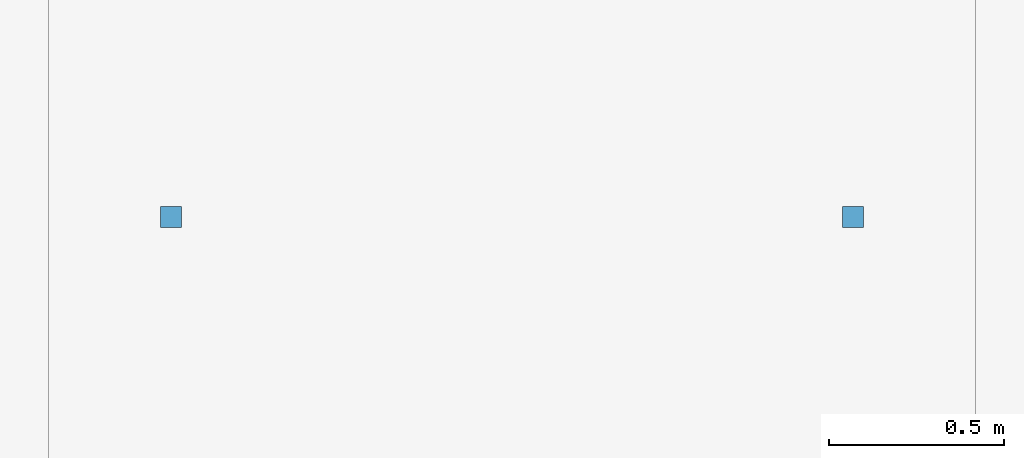
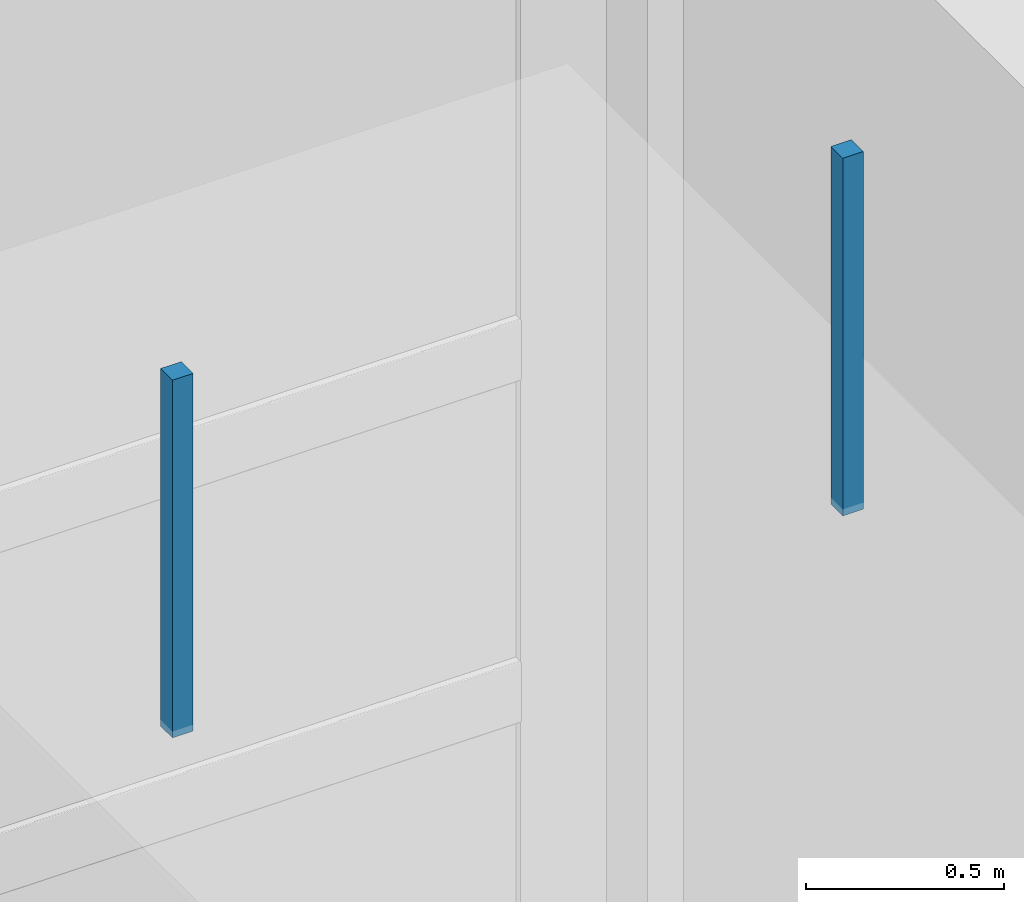
# One storey, part 112 of 147: 2 discrete accessories.
"""IFC4 building model written with IfcOpenShell, lengths in metres."""

from ifc_helpers import new_model, si_unit, direction, frame, origin, origin_2d, place, context, subcontext, project, spatial, rectangle, extrude, material, type_object, element, save


model = new_model("IFC4")

# Units and contexts
model_context = context("Model", 3, precision=1e-05, world=origin(), true_north=direction((0.0, 1.0)))
body_context = subcontext(model_context, "Body", "Model", "MODEL_VIEW")
ifc_project = project(units=[si_unit("LENGTHUNIT", "METRE"), si_unit("AREAUNIT", "SQUARE_METRE"), si_unit("VOLUMEUNIT", "CUBIC_METRE"), si_unit("PLANEANGLEUNIT", "RADIAN"), si_unit("MASSUNIT", "GRAM", prefix="KILO")], contexts=[model_context])

# Site, building, storey
site_placement = place(None, origin())
site = spatial("IfcSite", under=ifc_project, at=site_placement, CompositionType="ELEMENT")
building_placement = place(site_placement, origin())
building = spatial("IfcBuilding", under=site, at=building_placement, Name="Khelvaren Railside Concert Hall", CompositionType="ELEMENT")
storey_placement = place(building_placement, frame((0.0, 0.0, 5.39990234375)))
storey = spatial("IfcBuildingStorey", under=building, at=storey_placement, Name="L01", CompositionType="ELEMENT", Elevation=5.39990234375)

# Discrete accessories
ifc_material = material(Name="Galvanised steel acoustic ceiling hanger rod", Category="steel")
discrete_accessory_type = type_object("IfcDiscreteAccessoryType", Name="BRK62", PredefinedType="BRACKET", material=ifc_material)
for number, where, z_axis, x_axis, name in (
    (1, (132.89990234375, 12.385009765625, 3.429931640625), (0.0, 0.0, 1.0), (1.0, 0.0, 0.0), "Acoustic Ceiling Suspension Bracket 75-1"),
    (2, (134.85009765625, 12.385009765625, 3.429931640625), (0.0, 0.0, 1.0), (1.0, 0.0, 0.0), "Acoustic Ceiling Suspension Bracket 75-2"),
):
    element("IfcDiscreteAccessory", number, at=place(storey_placement, frame(where, z_axis=z_axis, x_axis=x_axis)), inside=storey, type_object=discrete_accessory_type, Name=name, PredefinedType="BRACKET", context=body_context, shape_type="SweptSolid", body=[
        extrude(rectangle(XDim=0.06005859375, YDim=0.06005859375, at=origin_2d()), origin(), (0.0, 0.0, 1.0), 1.10009765625),
    ])

save(model, "model.ifc")
